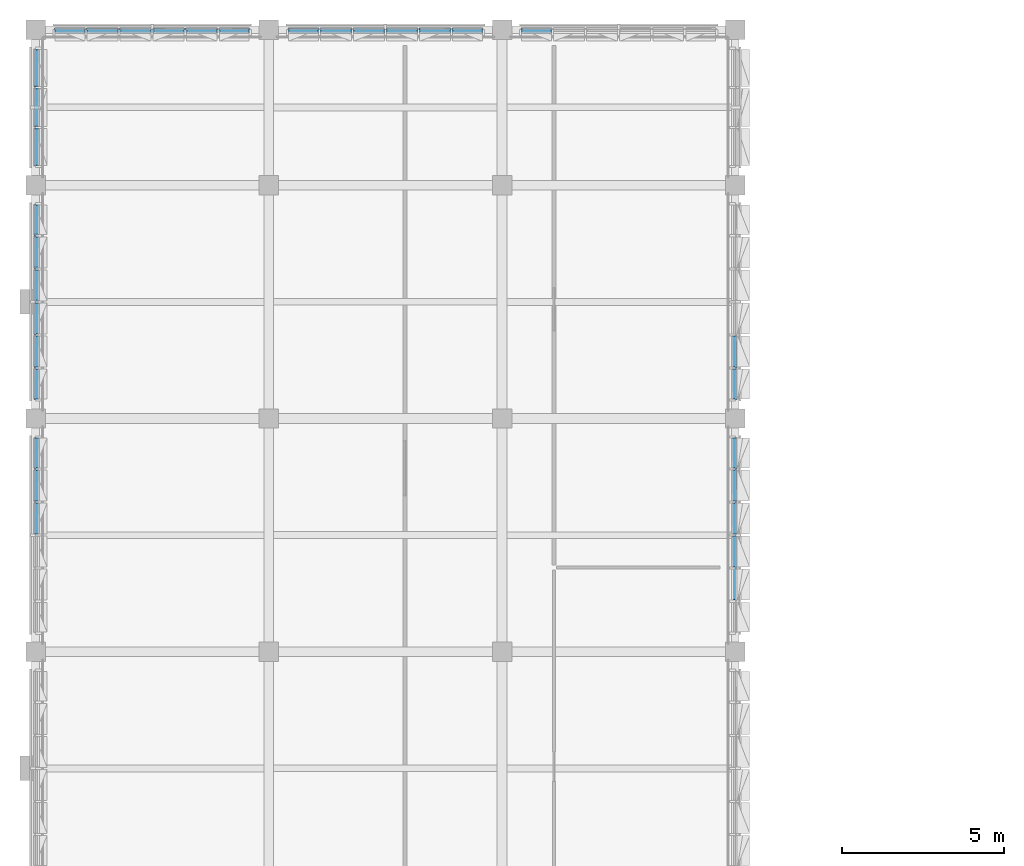
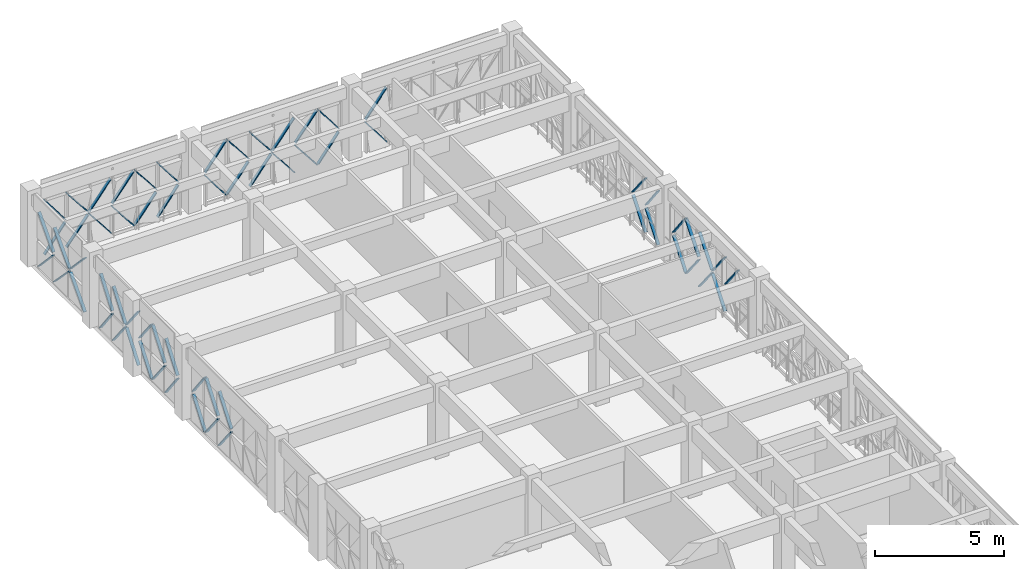
# One storey, part 50 of 74: 63 discrete accessories.
"""IFC4 building model written with IfcOpenShell, lengths in metres."""

from ifc_helpers import new_model, si_unit, direction, frame, origin, origin_2d, place, context, subcontext, project, spatial, rectangle, extrude, material, type_object, element, save


model = new_model("IFC4")

# Units and contexts
model_context = context("Model", 3, precision=1e-05, world=origin(), true_north=direction((0.0, 1.0)))
body_context = subcontext(model_context, "Body", "Model", "MODEL_VIEW")
ifc_project = project(units=[si_unit("LENGTHUNIT", "METRE"), si_unit("AREAUNIT", "SQUARE_METRE"), si_unit("VOLUMEUNIT", "CUBIC_METRE"), si_unit("PLANEANGLEUNIT", "RADIAN"), si_unit("MASSUNIT", "GRAM", prefix="KILO")], contexts=[model_context])

# Site, building, storey
site_placement = place(None, origin())
site = spatial("IfcSite", under=ifc_project, at=site_placement, CompositionType="ELEMENT")
building_placement = place(site_placement, origin())
building = spatial("IfcBuilding", under=site, at=building_placement, Name="Alvorim Cloister Faculty of Sciences", CompositionType="ELEMENT")
storey_placement = place(building_placement, frame((0.0, 0.0, 15.75)))
storey = spatial("IfcBuildingStorey", under=building, at=storey_placement, Name="L04", CompositionType="ELEMENT", Elevation=15.75)

# Discrete accessories
ifc_material = material(Name="Aluminium Alloy 6063-T6", Category="aluminium")
discrete_accessory_type = type_object("IfcDiscreteAccessoryType", Name="ACC-DIAG-BAR", PredefinedType="BRACKET", material=ifc_material)
discrete_accessory_1_placement = place(storey_placement, frame((0.0224609375, 96.032470703125, 1.35498046875), z_axis=(0.006476523147, 0.617955086572, -0.786186724404), x_axis=(-0.999945083323, 0.010479997039, 0.0)))
element("IfcDiscreteAccessory", 1, at=discrete_accessory_1_placement, inside=storey, type_object=discrete_accessory_type, Name="Diagonal Cassette Glazing Bracket ACC-01887", PredefinedType="BRACKET", context=body_context, shape_type="SweptSolid", body=[
    extrude(rectangle(XDim=0.139892578125, YDim=0.044921875, at=origin_2d()), origin(), (0.0, 0.0, 1.0), 1.545654296875),
])
discrete_accessory_2_placement = place(storey_placement, frame((0.0224609375, 96.032470703125, 1.4951171875), z_axis=(0.00647732753, 0.618031836495, 0.786126385072), x_axis=(-0.999945083323, 0.010479997039, 0.0)))
element("IfcDiscreteAccessory", 2, at=discrete_accessory_2_placement, inside=storey, type_object=discrete_accessory_type, Name="Diagonal Cassette Glazing Bracket ACC-01888", PredefinedType="BRACKET", context=body_context, shape_type="SweptSolid", body=[
    extrude(rectangle(XDim=0.139892578125, YDim=0.044921875, at=origin_2d()), origin(), (0.0, 0.0, 1.0), 1.54541015625),
])
discrete_accessory_3_placement = place(storey_placement, frame((0.0224609375, 97.052490234375, 1.35498046875), z_axis=(0.006476523147, 0.617955086572, -0.786186724404), x_axis=(-0.999945083323, 0.010479997039, 0.0)))
element("IfcDiscreteAccessory", 3, at=discrete_accessory_3_placement, inside=storey, type_object=discrete_accessory_type, Name="Diagonal Cassette Glazing Bracket ACC-01889", PredefinedType="BRACKET", context=body_context, shape_type="SweptSolid", body=[
    extrude(rectangle(XDim=0.139892578125, YDim=0.044921875, at=origin_2d()), origin(), (0.0, 0.0, 1.0), 1.545654296875),
])
discrete_accessory_4_placement = place(storey_placement, frame((0.0224609375, 97.052490234375, 1.4951171875), z_axis=(0.00647732753, 0.618031836495, 0.786126385072), x_axis=(-0.999945083323, 0.010479997039, 0.0)))
element("IfcDiscreteAccessory", 4, at=discrete_accessory_4_placement, inside=storey, type_object=discrete_accessory_type, Name="Diagonal Cassette Glazing Bracket ACC-01890", PredefinedType="BRACKET", context=body_context, shape_type="SweptSolid", body=[
    extrude(rectangle(XDim=0.139892578125, YDim=0.044921875, at=origin_2d()), origin(), (0.0, 0.0, 1.0), 1.54541015625),
])
discrete_accessory_5_placement = place(storey_placement, frame((0.0224609375, 98.072509765625, 0.139892578125), z_axis=(0.006560793558, 0.604713142785, 0.796416330151), x_axis=(-0.999941150118, 0.010848792579, 0.0)))
element("IfcDiscreteAccessory", 5, at=discrete_accessory_5_placement, inside=storey, type_object=discrete_accessory_type, Name="Diagonal Cassette Glazing Bracket ACC-01891", PredefinedType="BRACKET", context=body_context, shape_type="SweptSolid", body=[
    extrude(rectangle(XDim=0.139892578125, YDim=0.044921875, at=origin_2d()), origin(), (0.0, 0.0, 1.0), 1.525634765625),
])
discrete_accessory_6_placement = place(storey_placement, frame((0.0224609375, 98.072509765625, 2.7099609375), z_axis=(0.006561629754, 0.604790215644, -0.796357796519), x_axis=(-0.999941150118, 0.010848792579, 0.0)))
element("IfcDiscreteAccessory", 6, at=discrete_accessory_6_placement, inside=storey, type_object=discrete_accessory_type, Name="Diagonal Cassette Glazing Bracket ACC-01892", PredefinedType="BRACKET", context=body_context, shape_type="SweptSolid", body=[
    extrude(rectangle(XDim=0.139892578125, YDim=0.044921875, at=origin_2d()), origin(), (0.0, 0.0, 1.0), 1.525390625),
])
discrete_accessory_7_placement = place(storey_placement, frame((0.0224609375, 100.205078125, 1.35498046875), z_axis=(0.006561428426, 0.604611624251, -0.796493397008), x_axis=(-0.999941118963, 0.010851663811, 0.0)))
element("IfcDiscreteAccessory", 7, at=discrete_accessory_7_placement, inside=storey, type_object=discrete_accessory_type, Name="Diagonal Cassette Glazing Bracket ACC-01894", PredefinedType="BRACKET", context=body_context, shape_type="SweptSolid", body=[
    extrude(rectangle(XDim=0.139892578125, YDim=0.044921875, at=origin_2d()), origin(), (0.0, 0.0, 1.0), 1.525634765625),
])
discrete_accessory_8_placement = place(storey_placement, frame((0.0224609375, 100.205078125, 1.4951171875), z_axis=(0.006562264866, 0.604688699088, 0.796434877359), x_axis=(-0.999941118963, 0.010851663811, 0.0)))
element("IfcDiscreteAccessory", 8, at=discrete_accessory_8_placement, inside=storey, type_object=discrete_accessory_type, Name="Diagonal Cassette Glazing Bracket ACC-01895", PredefinedType="BRACKET", context=body_context, shape_type="SweptSolid", body=[
    extrude(rectangle(XDim=0.139892578125, YDim=0.044921875, at=origin_2d()), origin(), (0.0, 0.0, 1.0), 1.525390625),
])
discrete_accessory_9_placement = place(storey_placement, frame((0.0224609375, 101.1923828125, 1.35498046875), z_axis=(0.006476523147, 0.617955086572, -0.786186724404), x_axis=(-0.999945083323, 0.010479997039, 0.0)))
element("IfcDiscreteAccessory", 9, at=discrete_accessory_9_placement, inside=storey, type_object=discrete_accessory_type, Name="Diagonal Cassette Glazing Bracket ACC-01896", PredefinedType="BRACKET", context=body_context, shape_type="SweptSolid", body=[
    extrude(rectangle(XDim=0.139892578125, YDim=0.044921875, at=origin_2d()), origin(), (0.0, 0.0, 1.0), 1.545654296875),
])
discrete_accessory_10_placement = place(storey_placement, frame((0.0224609375, 101.1923828125, 1.4951171875), z_axis=(0.00647732753, 0.618031836495, 0.786126385072), x_axis=(-0.999945083323, 0.010479997039, 0.0)))
element("IfcDiscreteAccessory", 10, at=discrete_accessory_10_placement, inside=storey, type_object=discrete_accessory_type, Name="Diagonal Cassette Glazing Bracket ACC-01897", PredefinedType="BRACKET", context=body_context, shape_type="SweptSolid", body=[
    extrude(rectangle(XDim=0.139892578125, YDim=0.044921875, at=origin_2d()), origin(), (0.0, 0.0, 1.0), 1.54541015625),
])
discrete_accessory_11_placement = place(storey_placement, frame((0.0224609375, 102.21240234375, 0.139892578125), z_axis=(0.006476523147, 0.617955086572, 0.786186724404), x_axis=(-0.999945083323, 0.010479997039, 0.0)))
element("IfcDiscreteAccessory", 11, at=discrete_accessory_11_placement, inside=storey, type_object=discrete_accessory_type, Name="Diagonal Cassette Glazing Bracket ACC-01898", PredefinedType="BRACKET", context=body_context, shape_type="SweptSolid", body=[
    extrude(rectangle(XDim=0.139892578125, YDim=0.044921875, at=origin_2d()), origin(), (0.0, 0.0, 1.0), 1.545654296875),
])
discrete_accessory_12_placement = place(storey_placement, frame((0.0224609375, 102.21240234375, 2.7099609375), z_axis=(0.00647732753, 0.618031836495, -0.786126385072), x_axis=(-0.999945083323, 0.010479997039, 0.0)))
element("IfcDiscreteAccessory", 12, at=discrete_accessory_12_placement, inside=storey, type_object=discrete_accessory_type, Name="Diagonal Cassette Glazing Bracket ACC-01899", PredefinedType="BRACKET", context=body_context, shape_type="SweptSolid", body=[
    extrude(rectangle(XDim=0.139892578125, YDim=0.044921875, at=origin_2d()), origin(), (0.0, 0.0, 1.0), 1.54541015625),
])
discrete_accessory_13_placement = place(storey_placement, frame((0.0224609375, 103.232421875, 0.139892578125), z_axis=(0.006476523147, 0.617955086572, 0.786186724404), x_axis=(-0.999945083323, 0.010479997039, 0.0)))
element("IfcDiscreteAccessory", 13, at=discrete_accessory_13_placement, inside=storey, type_object=discrete_accessory_type, Name="Diagonal Cassette Glazing Bracket ACC-01900", PredefinedType="BRACKET", context=body_context, shape_type="SweptSolid", body=[
    extrude(rectangle(XDim=0.139892578125, YDim=0.044921875, at=origin_2d()), origin(), (0.0, 0.0, 1.0), 1.545654296875),
])
discrete_accessory_14_placement = place(storey_placement, frame((0.0224609375, 103.232421875, 2.7099609375), z_axis=(0.00647732753, 0.618031836495, -0.786126385072), x_axis=(-0.999945083323, 0.010479997039, 0.0)))
element("IfcDiscreteAccessory", 14, at=discrete_accessory_14_placement, inside=storey, type_object=discrete_accessory_type, Name="Diagonal Cassette Glazing Bracket ACC-01901", PredefinedType="BRACKET", context=body_context, shape_type="SweptSolid", body=[
    extrude(rectangle(XDim=0.139892578125, YDim=0.044921875, at=origin_2d()), origin(), (0.0, 0.0, 1.0), 1.54541015625),
])
discrete_accessory_15_placement = place(storey_placement, frame((0.0224609375, 104.25244140625, 1.35498046875), z_axis=(0.006476523147, 0.617955086572, -0.786186724404), x_axis=(-0.999945083323, 0.010479997039, 0.0)))
element("IfcDiscreteAccessory", 15, at=discrete_accessory_15_placement, inside=storey, type_object=discrete_accessory_type, Name="Diagonal Cassette Glazing Bracket ACC-01902", PredefinedType="BRACKET", context=body_context, shape_type="SweptSolid", body=[
    extrude(rectangle(XDim=0.139892578125, YDim=0.044921875, at=origin_2d()), origin(), (0.0, 0.0, 1.0), 1.545654296875),
])
discrete_accessory_16_placement = place(storey_placement, frame((0.0224609375, 104.25244140625, 1.4951171875), z_axis=(0.00647732753, 0.618031836495, 0.786126385072), x_axis=(-0.999945083323, 0.010479997039, 0.0)))
element("IfcDiscreteAccessory", 16, at=discrete_accessory_16_placement, inside=storey, type_object=discrete_accessory_type, Name="Diagonal Cassette Glazing Bracket ACC-01903", PredefinedType="BRACKET", context=body_context, shape_type="SweptSolid", body=[
    extrude(rectangle(XDim=0.139892578125, YDim=0.044921875, at=origin_2d()), origin(), (0.0, 0.0, 1.0), 1.54541015625),
])
discrete_accessory_17_placement = place(storey_placement, frame((0.0224609375, 105.2724609375, 1.35498046875), z_axis=(0.006560793558, 0.604713142785, -0.796416330151), x_axis=(-0.999941150118, 0.010848792579, 0.0)))
element("IfcDiscreteAccessory", 17, at=discrete_accessory_17_placement, inside=storey, type_object=discrete_accessory_type, Name="Diagonal Cassette Glazing Bracket ACC-01904", PredefinedType="BRACKET", context=body_context, shape_type="SweptSolid", body=[
    extrude(rectangle(XDim=0.139892578125, YDim=0.044921875, at=origin_2d()), origin(), (0.0, 0.0, 1.0), 1.525634765625),
])
discrete_accessory_18_placement = place(storey_placement, frame((0.0224609375, 105.2724609375, 1.4951171875), z_axis=(0.006561629754, 0.604790215644, 0.796357796519), x_axis=(-0.999941150118, 0.010848792579, 0.0)))
element("IfcDiscreteAccessory", 18, at=discrete_accessory_18_placement, inside=storey, type_object=discrete_accessory_type, Name="Diagonal Cassette Glazing Bracket ACC-01905", PredefinedType="BRACKET", context=body_context, shape_type="SweptSolid", body=[
    extrude(rectangle(XDim=0.139892578125, YDim=0.044921875, at=origin_2d()), origin(), (0.0, 0.0, 1.0), 1.525390625),
])
discrete_accessory_19_placement = place(storey_placement, frame((0.0224609375, 107.405029296875, 0.139892578125), z_axis=(0.006001274719, 0.685023553293, 0.728496201868), x_axis=(-0.999961627419, 0.008760347591, 0.0)))
element("IfcDiscreteAccessory", 19, at=discrete_accessory_19_placement, inside=storey, type_object=discrete_accessory_type, Name="Diagonal Cassette Glazing Bracket ACC-01907", PredefinedType="BRACKET", context=body_context, shape_type="SweptSolid", body=[
    extrude(rectangle(XDim=0.139892578125, YDim=0.044921875, at=origin_2d()), origin(), (0.0, 0.0, 1.0), 1.66796875),
])
discrete_accessory_20_placement = place(storey_placement, frame((0.0224609375, 107.405029296875, 2.7099609375), z_axis=(0.006001914684, 0.685096602967, -0.728427499223), x_axis=(-0.999961627419, 0.008760347591, 0.0)))
element("IfcDiscreteAccessory", 20, at=discrete_accessory_20_placement, inside=storey, type_object=discrete_accessory_type, Name="Diagonal Cassette Glazing Bracket ACC-01908", PredefinedType="BRACKET", context=body_context, shape_type="SweptSolid", body=[
    extrude(rectangle(XDim=0.139892578125, YDim=0.044921875, at=origin_2d()), origin(), (0.0, 0.0, 1.0), 1.667724609375),
])
discrete_accessory_21_placement = place(storey_placement, frame((0.0224609375, 108.612548828125, 1.35498046875), z_axis=(0.005921716613, 0.695151757511, -0.718838623963), x_axis=(-0.99996371874, 0.008518286405, 0.0)))
element("IfcDiscreteAccessory", 21, at=discrete_accessory_21_placement, inside=storey, type_object=discrete_accessory_type, Name="Diagonal Cassette Glazing Bracket ACC-01909", PredefinedType="BRACKET", context=body_context, shape_type="SweptSolid", body=[
    extrude(rectangle(XDim=0.139892578125, YDim=0.044921875, at=origin_2d()), origin(), (0.0, 0.0, 1.0), 1.6904296875),
])
discrete_accessory_22_placement = place(storey_placement, frame((0.0224609375, 108.612548828125, 1.4951171875), z_axis=(0.00592233146, 0.695223934506, 0.718768813235), x_axis=(-0.99996371874, 0.008518286405, 0.0)))
element("IfcDiscreteAccessory", 22, at=discrete_accessory_22_placement, inside=storey, type_object=discrete_accessory_type, Name="Diagonal Cassette Glazing Bracket ACC-01910", PredefinedType="BRACKET", context=body_context, shape_type="SweptSolid", body=[
    extrude(rectangle(XDim=0.139892578125, YDim=0.044921875, at=origin_2d()), origin(), (0.0, 0.0, 1.0), 1.690185546875),
])
discrete_accessory_23_placement = place(storey_placement, frame((0.0224609375, 109.8525390625, 1.35498046875), z_axis=(0.006001274719, 0.685023553293, -0.728496201868), x_axis=(-0.999961627419, 0.008760347591, 0.0)))
element("IfcDiscreteAccessory", 23, at=discrete_accessory_23_placement, inside=storey, type_object=discrete_accessory_type, Name="Diagonal Cassette Glazing Bracket ACC-01911", PredefinedType="BRACKET", context=body_context, shape_type="SweptSolid", body=[
    extrude(rectangle(XDim=0.139892578125, YDim=0.044921875, at=origin_2d()), origin(), (0.0, 0.0, 1.0), 1.66796875),
])
discrete_accessory_24_placement = place(storey_placement, frame((0.0224609375, 109.8525390625, 1.4951171875), z_axis=(0.006001914684, 0.685096602967, 0.728427499223), x_axis=(-0.999961627419, 0.008760347591, 0.0)))
element("IfcDiscreteAccessory", 24, at=discrete_accessory_24_placement, inside=storey, type_object=discrete_accessory_type, Name="Diagonal Cassette Glazing Bracket ACC-01912", PredefinedType="BRACKET", context=body_context, shape_type="SweptSolid", body=[
    extrude(rectangle(XDim=0.139892578125, YDim=0.044921875, at=origin_2d()), origin(), (0.0, 0.0, 1.0), 1.667724609375),
])
discrete_accessory_25_placement = place(storey_placement, frame((0.60498046875, 111.577392578125, 0.139892578125), z_axis=(0.604713142785, -0.006560793558, 0.796416330151), x_axis=(0.010848792579, 0.999941150118, 0.0)))
element("IfcDiscreteAccessory", 25, at=discrete_accessory_25_placement, inside=storey, type_object=discrete_accessory_type, Name="Diagonal Cassette Glazing Bracket ACC-01914", PredefinedType="BRACKET", context=body_context, shape_type="SweptSolid", body=[
    extrude(rectangle(XDim=0.139892578125, YDim=0.044921875, at=origin_2d()), origin(), (0.0, 0.0, 1.0), 1.525634765625),
])
discrete_accessory_26_placement = place(storey_placement, frame((0.60498046875, 111.577392578125, 2.7099609375), z_axis=(0.604790215644, -0.006561629754, -0.796357796519), x_axis=(0.010848792579, 0.999941150118, 0.0)))
element("IfcDiscreteAccessory", 26, at=discrete_accessory_26_placement, inside=storey, type_object=discrete_accessory_type, Name="Diagonal Cassette Glazing Bracket ACC-01915", PredefinedType="BRACKET", context=body_context, shape_type="SweptSolid", body=[
    extrude(rectangle(XDim=0.139892578125, YDim=0.044921875, at=origin_2d()), origin(), (0.0, 0.0, 1.0), 1.525390625),
])
discrete_accessory_27_placement = place(storey_placement, frame((1.592529296875, 111.577392578125, 0.139892578125), z_axis=(0.617955086572, -0.006476523147, 0.786186724404), x_axis=(0.010479997039, 0.999945083323, 0.0)))
element("IfcDiscreteAccessory", 27, at=discrete_accessory_27_placement, inside=storey, type_object=discrete_accessory_type, Name="Diagonal Cassette Glazing Bracket ACC-01916", PredefinedType="BRACKET", context=body_context, shape_type="SweptSolid", body=[
    extrude(rectangle(XDim=0.139892578125, YDim=0.044921875, at=origin_2d()), origin(), (0.0, 0.0, 1.0), 1.545654296875),
])
for number, where, z_axis, x_axis, name in (
    (28, (1.592529296875, 111.577392578125, 2.7099609375), (0.618031836495, -0.00647732753, -0.786126385072), (0.010479997039, 0.999945083323, 0.0), "Diagonal Cassette Glazing Bracket ACC-01917"),
    (29, (2.612548828125, 111.577392578125, 1.35498046875), (0.61785742976, -0.006477155362, -0.786263469168), (0.010482676365, 0.999945055239, 0.0), "Diagonal Cassette Glazing Bracket ACC-01918"),
):
    element("IfcDiscreteAccessory", number, at=place(storey_placement, frame(where, z_axis=z_axis, x_axis=x_axis)), inside=storey, type_object=discrete_accessory_type, Name=name, PredefinedType="BRACKET", context=body_context, shape_type="SweptSolid", body=[
        extrude(rectangle(XDim=0.139892578125, YDim=0.044921875, at=origin_2d()), origin(), (0.0, 0.0, 1.0), 1.54541015625),
    ])
discrete_accessory_28_placement = place(storey_placement, frame((2.612548828125, 111.577392578125, 1.4951171875), z_axis=(0.61793418254, -0.006477959981, 0.786203143012), x_axis=(0.010482676365, 0.999945055239, 0.0)))
element("IfcDiscreteAccessory", 30, at=discrete_accessory_28_placement, inside=storey, type_object=discrete_accessory_type, Name="Diagonal Cassette Glazing Bracket ACC-01919", PredefinedType="BRACKET", context=body_context, shape_type="SweptSolid", body=[
    extrude(rectangle(XDim=0.139892578125, YDim=0.044921875, at=origin_2d()), origin(), (0.0, 0.0, 1.0), 1.545166015625),
])
discrete_accessory_29_placement = place(storey_placement, frame((3.632568359375, 111.577392578125, 1.35498046875), z_axis=(0.61785742976, -0.006477155362, -0.786263469168), x_axis=(0.010482676365, 0.999945055239, 0.0)))
element("IfcDiscreteAccessory", 31, at=discrete_accessory_29_placement, inside=storey, type_object=discrete_accessory_type, Name="Diagonal Cassette Glazing Bracket ACC-01920", PredefinedType="BRACKET", context=body_context, shape_type="SweptSolid", body=[
    extrude(rectangle(XDim=0.139892578125, YDim=0.044921875, at=origin_2d()), origin(), (0.0, 0.0, 1.0), 1.54541015625),
])
discrete_accessory_30_placement = place(storey_placement, frame((3.632568359375, 111.577392578125, 1.4951171875), z_axis=(0.61793418254, -0.006477959981, 0.786203143012), x_axis=(0.010482676365, 0.999945055239, 0.0)))
element("IfcDiscreteAccessory", 32, at=discrete_accessory_30_placement, inside=storey, type_object=discrete_accessory_type, Name="Diagonal Cassette Glazing Bracket ACC-01921", PredefinedType="BRACKET", context=body_context, shape_type="SweptSolid", body=[
    extrude(rectangle(XDim=0.139892578125, YDim=0.044921875, at=origin_2d()), origin(), (0.0, 0.0, 1.0), 1.545166015625),
])
discrete_accessory_31_placement = place(storey_placement, frame((4.652587890625, 111.577392578125, 0.139892578125), z_axis=(0.61785742976, -0.006477155362, 0.786263469168), x_axis=(0.010482676365, 0.999945055239, 0.0)))
element("IfcDiscreteAccessory", 33, at=discrete_accessory_31_placement, inside=storey, type_object=discrete_accessory_type, Name="Diagonal Cassette Glazing Bracket ACC-01922", PredefinedType="BRACKET", context=body_context, shape_type="SweptSolid", body=[
    extrude(rectangle(XDim=0.139892578125, YDim=0.044921875, at=origin_2d()), origin(), (0.0, 0.0, 1.0), 1.54541015625),
])
discrete_accessory_32_placement = place(storey_placement, frame((4.652587890625, 111.577392578125, 2.7099609375), z_axis=(0.61793418254, -0.006477959981, -0.786203143012), x_axis=(0.010482676365, 0.999945055239, 0.0)))
element("IfcDiscreteAccessory", 34, at=discrete_accessory_32_placement, inside=storey, type_object=discrete_accessory_type, Name="Diagonal Cassette Glazing Bracket ACC-01923", PredefinedType="BRACKET", context=body_context, shape_type="SweptSolid", body=[
    extrude(rectangle(XDim=0.139892578125, YDim=0.044921875, at=origin_2d()), origin(), (0.0, 0.0, 1.0), 1.545166015625),
])
discrete_accessory_33_placement = place(storey_placement, frame((5.672607421875, 111.577392578125, 0.139892578125), z_axis=(0.604611624251, -0.006561428426, 0.796493397008), x_axis=(0.010851663811, 0.999941118963, 0.0)))
element("IfcDiscreteAccessory", 35, at=discrete_accessory_33_placement, inside=storey, type_object=discrete_accessory_type, Name="Diagonal Cassette Glazing Bracket ACC-01924", PredefinedType="BRACKET", context=body_context, shape_type="SweptSolid", body=[
    extrude(rectangle(XDim=0.139892578125, YDim=0.044921875, at=origin_2d()), origin(), (0.0, 0.0, 1.0), 1.525634765625),
])
discrete_accessory_34_placement = place(storey_placement, frame((5.672607421875, 111.577392578125, 2.7099609375), z_axis=(0.604688699088, -0.006562264866, -0.796434877359), x_axis=(0.010851663811, 0.999941118963, 0.0)))
element("IfcDiscreteAccessory", 36, at=discrete_accessory_34_placement, inside=storey, type_object=discrete_accessory_type, Name="Diagonal Cassette Glazing Bracket ACC-01925", PredefinedType="BRACKET", context=body_context, shape_type="SweptSolid", body=[
    extrude(rectangle(XDim=0.139892578125, YDim=0.044921875, at=origin_2d()), origin(), (0.0, 0.0, 1.0), 1.525390625),
])
discrete_accessory_35_placement = place(storey_placement, frame((7.804931640625, 111.577392578125, 1.35498046875), z_axis=(0.604713142785, -0.006560793558, -0.796416330151), x_axis=(0.010848792579, 0.999941150118, 0.0)))
element("IfcDiscreteAccessory", 37, at=discrete_accessory_35_placement, inside=storey, type_object=discrete_accessory_type, Name="Diagonal Cassette Glazing Bracket ACC-01927", PredefinedType="BRACKET", context=body_context, shape_type="SweptSolid", body=[
    extrude(rectangle(XDim=0.139892578125, YDim=0.044921875, at=origin_2d()), origin(), (0.0, 0.0, 1.0), 1.525634765625),
])
discrete_accessory_36_placement = place(storey_placement, frame((7.804931640625, 111.577392578125, 1.4951171875), z_axis=(0.604790215644, -0.006561629754, 0.796357796519), x_axis=(0.010848792579, 0.999941150118, 0.0)))
element("IfcDiscreteAccessory", 38, at=discrete_accessory_36_placement, inside=storey, type_object=discrete_accessory_type, Name="Diagonal Cassette Glazing Bracket ACC-01928", PredefinedType="BRACKET", context=body_context, shape_type="SweptSolid", body=[
    extrude(rectangle(XDim=0.139892578125, YDim=0.044921875, at=origin_2d()), origin(), (0.0, 0.0, 1.0), 1.525390625),
])
discrete_accessory_37_placement = place(storey_placement, frame((8.79248046875, 111.577392578125, 0.139892578125), z_axis=(0.617955086572, -0.006476523147, 0.786186724404), x_axis=(0.010479997039, 0.999945083323, 0.0)))
element("IfcDiscreteAccessory", 39, at=discrete_accessory_37_placement, inside=storey, type_object=discrete_accessory_type, Name="Diagonal Cassette Glazing Bracket ACC-01929", PredefinedType="BRACKET", context=body_context, shape_type="SweptSolid", body=[
    extrude(rectangle(XDim=0.139892578125, YDim=0.044921875, at=origin_2d()), origin(), (0.0, 0.0, 1.0), 1.545654296875),
])
discrete_accessory_38_placement = place(storey_placement, frame((8.79248046875, 111.577392578125, 2.7099609375), z_axis=(0.618031836495, -0.00647732753, -0.786126385072), x_axis=(0.010479997039, 0.999945083323, 0.0)))
element("IfcDiscreteAccessory", 40, at=discrete_accessory_38_placement, inside=storey, type_object=discrete_accessory_type, Name="Diagonal Cassette Glazing Bracket ACC-01930", PredefinedType="BRACKET", context=body_context, shape_type="SweptSolid", body=[
    extrude(rectangle(XDim=0.139892578125, YDim=0.044921875, at=origin_2d()), origin(), (0.0, 0.0, 1.0), 1.54541015625),
])
discrete_accessory_39_placement = place(storey_placement, frame((9.8125, 111.577392578125, 0.139892578125), z_axis=(0.617955086572, -0.006476523147, 0.786186724404), x_axis=(0.010479997039, 0.999945083323, 0.0)))
element("IfcDiscreteAccessory", 41, at=discrete_accessory_39_placement, inside=storey, type_object=discrete_accessory_type, Name="Diagonal Cassette Glazing Bracket ACC-01931", PredefinedType="BRACKET", context=body_context, shape_type="SweptSolid", body=[
    extrude(rectangle(XDim=0.139892578125, YDim=0.044921875, at=origin_2d()), origin(), (0.0, 0.0, 1.0), 1.545654296875),
])
discrete_accessory_40_placement = place(storey_placement, frame((9.8125, 111.577392578125, 2.7099609375), z_axis=(0.618031836495, -0.00647732753, -0.786126385072), x_axis=(0.010479997039, 0.999945083323, 0.0)))
element("IfcDiscreteAccessory", 42, at=discrete_accessory_40_placement, inside=storey, type_object=discrete_accessory_type, Name="Diagonal Cassette Glazing Bracket ACC-01932", PredefinedType="BRACKET", context=body_context, shape_type="SweptSolid", body=[
    extrude(rectangle(XDim=0.139892578125, YDim=0.044921875, at=origin_2d()), origin(), (0.0, 0.0, 1.0), 1.54541015625),
])
discrete_accessory_41_placement = place(storey_placement, frame((10.83251953125, 111.577392578125, 1.35498046875), z_axis=(0.617955086572, -0.006476523147, -0.786186724404), x_axis=(0.010479997039, 0.999945083323, 0.0)))
element("IfcDiscreteAccessory", 43, at=discrete_accessory_41_placement, inside=storey, type_object=discrete_accessory_type, Name="Diagonal Cassette Glazing Bracket ACC-01933", PredefinedType="BRACKET", context=body_context, shape_type="SweptSolid", body=[
    extrude(rectangle(XDim=0.139892578125, YDim=0.044921875, at=origin_2d()), origin(), (0.0, 0.0, 1.0), 1.545654296875),
])
discrete_accessory_42_placement = place(storey_placement, frame((10.83251953125, 111.577392578125, 1.4951171875), z_axis=(0.618031836495, -0.00647732753, 0.786126385072), x_axis=(0.010479997039, 0.999945083323, 0.0)))
element("IfcDiscreteAccessory", 44, at=discrete_accessory_42_placement, inside=storey, type_object=discrete_accessory_type, Name="Diagonal Cassette Glazing Bracket ACC-01934", PredefinedType="BRACKET", context=body_context, shape_type="SweptSolid", body=[
    extrude(rectangle(XDim=0.139892578125, YDim=0.044921875, at=origin_2d()), origin(), (0.0, 0.0, 1.0), 1.54541015625),
])
discrete_accessory_43_placement = place(storey_placement, frame((11.8525390625, 111.577392578125, 1.35498046875), z_axis=(0.617955086572, -0.006476523147, -0.786186724404), x_axis=(0.010479997039, 0.999945083323, 0.0)))
element("IfcDiscreteAccessory", 45, at=discrete_accessory_43_placement, inside=storey, type_object=discrete_accessory_type, Name="Diagonal Cassette Glazing Bracket ACC-01935", PredefinedType="BRACKET", context=body_context, shape_type="SweptSolid", body=[
    extrude(rectangle(XDim=0.139892578125, YDim=0.044921875, at=origin_2d()), origin(), (0.0, 0.0, 1.0), 1.545654296875),
])
discrete_accessory_44_placement = place(storey_placement, frame((11.8525390625, 111.577392578125, 1.4951171875), z_axis=(0.618031836495, -0.00647732753, 0.786126385072), x_axis=(0.010479997039, 0.999945083323, 0.0)))
element("IfcDiscreteAccessory", 46, at=discrete_accessory_44_placement, inside=storey, type_object=discrete_accessory_type, Name="Diagonal Cassette Glazing Bracket ACC-01936", PredefinedType="BRACKET", context=body_context, shape_type="SweptSolid", body=[
    extrude(rectangle(XDim=0.139892578125, YDim=0.044921875, at=origin_2d()), origin(), (0.0, 0.0, 1.0), 1.54541015625),
])
discrete_accessory_45_placement = place(storey_placement, frame((12.87255859375, 111.577392578125, 0.139892578125), z_axis=(0.604611624251, -0.006561428426, 0.796493397008), x_axis=(0.010851663811, 0.999941118963, 0.0)))
element("IfcDiscreteAccessory", 47, at=discrete_accessory_45_placement, inside=storey, type_object=discrete_accessory_type, Name="Diagonal Cassette Glazing Bracket ACC-01937", PredefinedType="BRACKET", context=body_context, shape_type="SweptSolid", body=[
    extrude(rectangle(XDim=0.139892578125, YDim=0.044921875, at=origin_2d()), origin(), (0.0, 0.0, 1.0), 1.525634765625),
])
discrete_accessory_46_placement = place(storey_placement, frame((12.87255859375, 111.577392578125, 2.7099609375), z_axis=(0.604688699088, -0.006562264866, -0.796434877359), x_axis=(0.010851663811, 0.999941118963, 0.0)))
element("IfcDiscreteAccessory", 48, at=discrete_accessory_46_placement, inside=storey, type_object=discrete_accessory_type, Name="Diagonal Cassette Glazing Bracket ACC-01938", PredefinedType="BRACKET", context=body_context, shape_type="SweptSolid", body=[
    extrude(rectangle(XDim=0.139892578125, YDim=0.044921875, at=origin_2d()), origin(), (0.0, 0.0, 1.0), 1.525390625),
])
discrete_accessory_47_placement = place(storey_placement, frame((15.0048828125, 111.577392578125, 1.35498046875), z_axis=(0.604713142785, -0.006560793558, -0.796416330151), x_axis=(0.010848792579, 0.999941150118, 0.0)))
element("IfcDiscreteAccessory", 49, at=discrete_accessory_47_placement, inside=storey, type_object=discrete_accessory_type, Name="Diagonal Cassette Glazing Bracket ACC-01940", PredefinedType="BRACKET", context=body_context, shape_type="SweptSolid", body=[
    extrude(rectangle(XDim=0.139892578125, YDim=0.044921875, at=origin_2d()), origin(), (0.0, 0.0, 1.0), 1.525634765625),
])
discrete_accessory_48_placement = place(storey_placement, frame((15.0048828125, 111.577392578125, 1.4951171875), z_axis=(0.604790215644, -0.006561629754, 0.796357796519), x_axis=(0.010848792579, 0.999941150118, 0.0)))
element("IfcDiscreteAccessory", 50, at=discrete_accessory_48_placement, inside=storey, type_object=discrete_accessory_type, Name="Diagonal Cassette Glazing Bracket ACC-01941", PredefinedType="BRACKET", context=body_context, shape_type="SweptSolid", body=[
    extrude(rectangle(XDim=0.139892578125, YDim=0.044921875, at=origin_2d()), origin(), (0.0, 0.0, 1.0), 1.525390625),
])
discrete_accessory_49_placement = place(storey_placement, frame((21.577392578125, 100.205078125, 0.139892578125), z_axis=(-0.006561428426, 0.604611624251, 0.796493397008), x_axis=(-0.999941118963, -0.010851663811, 0.0)))
element("IfcDiscreteAccessory", 51, at=discrete_accessory_49_placement, inside=storey, type_object=discrete_accessory_type, Name="Diagonal Cassette Glazing Bracket ACC-01960", PredefinedType="BRACKET", context=body_context, shape_type="SweptSolid", body=[
    extrude(rectangle(XDim=0.139892578125, YDim=0.044921875, at=origin_2d()), origin(), (0.0, 0.0, 1.0), 1.525634765625),
])
discrete_accessory_50_placement = place(storey_placement, frame((21.577392578125, 100.205078125, 2.7099609375), z_axis=(-0.006562264866, 0.604688699088, -0.796434877359), x_axis=(-0.999941118963, -0.010851663811, 0.0)))
element("IfcDiscreteAccessory", 52, at=discrete_accessory_50_placement, inside=storey, type_object=discrete_accessory_type, Name="Diagonal Cassette Glazing Bracket ACC-01961", PredefinedType="BRACKET", context=body_context, shape_type="SweptSolid", body=[
    extrude(rectangle(XDim=0.139892578125, YDim=0.044921875, at=origin_2d()), origin(), (0.0, 0.0, 1.0), 1.525390625),
])
discrete_accessory_51_placement = place(storey_placement, frame((21.577392578125, 101.1923828125, 0.139892578125), z_axis=(-0.006476523147, 0.617955086572, 0.786186724404), x_axis=(-0.999945083323, -0.010479997039, 0.0)))
element("IfcDiscreteAccessory", 53, at=discrete_accessory_51_placement, inside=storey, type_object=discrete_accessory_type, Name="Diagonal Cassette Glazing Bracket ACC-01962", PredefinedType="BRACKET", context=body_context, shape_type="SweptSolid", body=[
    extrude(rectangle(XDim=0.139892578125, YDim=0.044921875, at=origin_2d()), origin(), (0.0, 0.0, 1.0), 1.545654296875),
])
for number, where, z_axis, x_axis, name in (
    (54, (21.577392578125, 101.1923828125, 2.7099609375), (-0.00647732753, 0.618031836495, -0.786126385072), (-0.999945083323, -0.010479997039, 0.0), "Diagonal Cassette Glazing Bracket ACC-01963"),
    (55, (21.577392578125, 93.992431640625, 2.7099609375), (-0.00647732753, 0.618031836495, -0.786126385072), (-0.999945083323, -0.010479997039, 0.0), "Diagonal Cassette Glazing Bracket ACC-01976"),
):
    element("IfcDiscreteAccessory", number, at=place(storey_placement, frame(where, z_axis=z_axis, x_axis=x_axis)), inside=storey, type_object=discrete_accessory_type, Name=name, PredefinedType="BRACKET", context=body_context, shape_type="SweptSolid", body=[
        extrude(rectangle(XDim=0.139892578125, YDim=0.044921875, at=origin_2d()), origin(), (0.0, 0.0, 1.0), 1.54541015625),
    ])
discrete_accessory_52_placement = place(storey_placement, frame((21.577392578125, 95.012451171875, 0.139892578125), z_axis=(-0.006476523147, 0.617955086572, 0.786186724404), x_axis=(-0.999945083323, -0.010479997039, 0.0)))
element("IfcDiscreteAccessory", 56, at=discrete_accessory_52_placement, inside=storey, type_object=discrete_accessory_type, Name="Diagonal Cassette Glazing Bracket ACC-01977", PredefinedType="BRACKET", context=body_context, shape_type="SweptSolid", body=[
    extrude(rectangle(XDim=0.139892578125, YDim=0.044921875, at=origin_2d()), origin(), (0.0, 0.0, 1.0), 1.545654296875),
])
discrete_accessory_53_placement = place(storey_placement, frame((21.577392578125, 95.012451171875, 2.7099609375), z_axis=(-0.00647732753, 0.618031836495, -0.786126385072), x_axis=(-0.999945083323, -0.010479997039, 0.0)))
element("IfcDiscreteAccessory", 57, at=discrete_accessory_53_placement, inside=storey, type_object=discrete_accessory_type, Name="Diagonal Cassette Glazing Bracket ACC-01978", PredefinedType="BRACKET", context=body_context, shape_type="SweptSolid", body=[
    extrude(rectangle(XDim=0.139892578125, YDim=0.044921875, at=origin_2d()), origin(), (0.0, 0.0, 1.0), 1.54541015625),
])
discrete_accessory_54_placement = place(storey_placement, frame((21.577392578125, 96.032470703125, 1.35498046875), z_axis=(-0.006476523147, 0.617955086572, -0.786186724404), x_axis=(-0.999945083323, -0.010479997039, 0.0)))
element("IfcDiscreteAccessory", 58, at=discrete_accessory_54_placement, inside=storey, type_object=discrete_accessory_type, Name="Diagonal Cassette Glazing Bracket ACC-01979", PredefinedType="BRACKET", context=body_context, shape_type="SweptSolid", body=[
    extrude(rectangle(XDim=0.139892578125, YDim=0.044921875, at=origin_2d()), origin(), (0.0, 0.0, 1.0), 1.545654296875),
])
discrete_accessory_55_placement = place(storey_placement, frame((21.577392578125, 96.032470703125, 1.4951171875), z_axis=(-0.00647732753, 0.618031836495, 0.786126385072), x_axis=(-0.999945083323, -0.010479997039, 0.0)))
element("IfcDiscreteAccessory", 59, at=discrete_accessory_55_placement, inside=storey, type_object=discrete_accessory_type, Name="Diagonal Cassette Glazing Bracket ACC-01980", PredefinedType="BRACKET", context=body_context, shape_type="SweptSolid", body=[
    extrude(rectangle(XDim=0.139892578125, YDim=0.044921875, at=origin_2d()), origin(), (0.0, 0.0, 1.0), 1.54541015625),
])
discrete_accessory_56_placement = place(storey_placement, frame((21.577392578125, 97.052490234375, 1.35498046875), z_axis=(-0.006476523147, 0.617955086572, -0.786186724404), x_axis=(-0.999945083323, -0.010479997039, 0.0)))
element("IfcDiscreteAccessory", 60, at=discrete_accessory_56_placement, inside=storey, type_object=discrete_accessory_type, Name="Diagonal Cassette Glazing Bracket ACC-01981", PredefinedType="BRACKET", context=body_context, shape_type="SweptSolid", body=[
    extrude(rectangle(XDim=0.139892578125, YDim=0.044921875, at=origin_2d()), origin(), (0.0, 0.0, 1.0), 1.545654296875),
])
discrete_accessory_57_placement = place(storey_placement, frame((21.577392578125, 97.052490234375, 1.4951171875), z_axis=(-0.00647732753, 0.618031836495, 0.786126385072), x_axis=(-0.999945083323, -0.010479997039, 0.0)))
element("IfcDiscreteAccessory", 61, at=discrete_accessory_57_placement, inside=storey, type_object=discrete_accessory_type, Name="Diagonal Cassette Glazing Bracket ACC-01982", PredefinedType="BRACKET", context=body_context, shape_type="SweptSolid", body=[
    extrude(rectangle(XDim=0.139892578125, YDim=0.044921875, at=origin_2d()), origin(), (0.0, 0.0, 1.0), 1.54541015625),
])
discrete_accessory_58_placement = place(storey_placement, frame((21.577392578125, 98.072509765625, 0.139892578125), z_axis=(-0.006560793558, 0.604713142785, 0.796416330151), x_axis=(-0.999941150118, -0.010848792579, 0.0)))
element("IfcDiscreteAccessory", 62, at=discrete_accessory_58_placement, inside=storey, type_object=discrete_accessory_type, Name="Diagonal Cassette Glazing Bracket ACC-01983", PredefinedType="BRACKET", context=body_context, shape_type="SweptSolid", body=[
    extrude(rectangle(XDim=0.139892578125, YDim=0.044921875, at=origin_2d()), origin(), (0.0, 0.0, 1.0), 1.525634765625),
])
discrete_accessory_59_placement = place(storey_placement, frame((21.577392578125, 98.072509765625, 2.7099609375), z_axis=(-0.006561629754, 0.604790215644, -0.796357796519), x_axis=(-0.999941150118, -0.010848792579, 0.0)))
element("IfcDiscreteAccessory", 63, at=discrete_accessory_59_placement, inside=storey, type_object=discrete_accessory_type, Name="Diagonal Cassette Glazing Bracket ACC-01984", PredefinedType="BRACKET", context=body_context, shape_type="SweptSolid", body=[
    extrude(rectangle(XDim=0.139892578125, YDim=0.044921875, at=origin_2d()), origin(), (0.0, 0.0, 1.0), 1.525390625),
])

save(model, "model.ifc")
